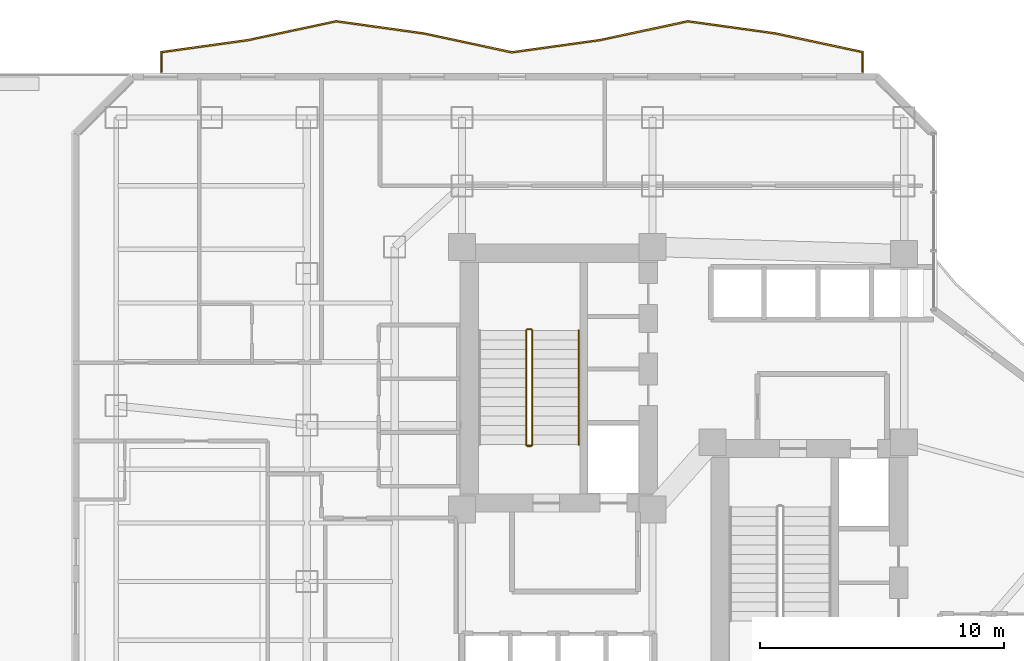
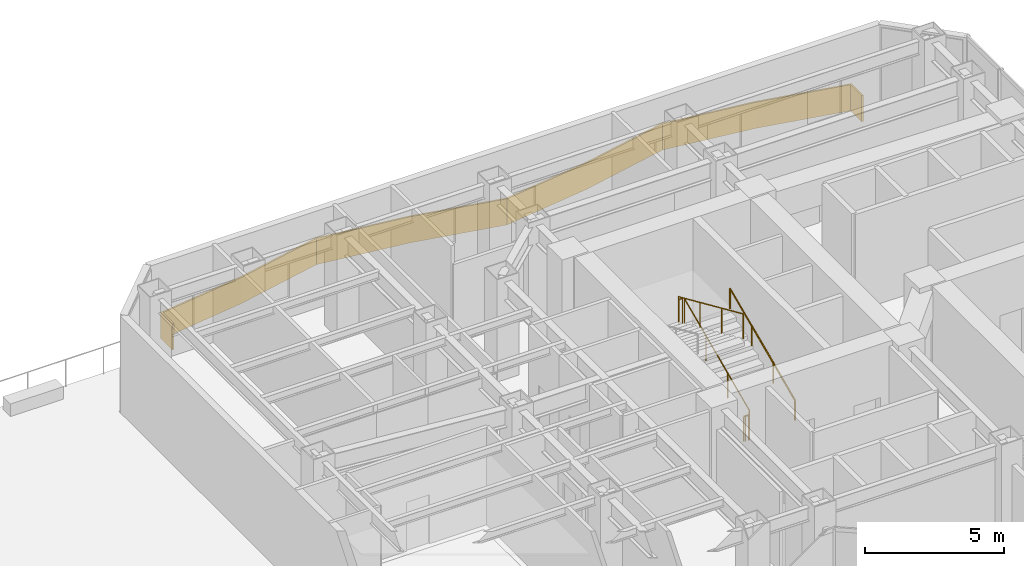
# One storey, part 26 of 27: 7 railings.
"""IFC4 building model written with IfcOpenShell, lengths in metres."""

from ifc_helpers import new_model, si_unit, direction, frame, origin, origin_2d, place, context, subcontext, project, spatial, polyline, circle, outline, extrude, material, layer, layer_set, type_object, element, save


model = new_model("IFC4")

# Units and contexts
model_context = context("Model", 3, precision=1e-05, world=origin(), true_north=direction((0.0, 1.0)))
body_context = subcontext(model_context, "Body", "Model", "MODEL_VIEW")
ifc_project = project(units=[si_unit("LENGTHUNIT", "METRE"), si_unit("AREAUNIT", "SQUARE_METRE"), si_unit("VOLUMEUNIT", "CUBIC_METRE"), si_unit("PLANEANGLEUNIT", "RADIAN"), si_unit("MASSUNIT", "GRAM", prefix="KILO")], contexts=[model_context])

# Site, building, storey
site_placement = place(None, origin())
site = spatial("IfcSite", under=ifc_project, at=site_placement, CompositionType="ELEMENT")
building_placement = place(site_placement, origin())
building = spatial("IfcBuilding", under=site, at=building_placement, Name="Hatsunagi Terrace Concourse", CompositionType="ELEMENT")
storey_placement = place(building_placement, frame((0.0, 0.0, 70.10009765625)))
storey = spatial("IfcBuildingStorey", under=building, at=storey_placement, Name="L18", CompositionType="ELEMENT", Elevation=70.10009765625)

# Railings
ifc_material_1 = material(Name="Laminated Glass and Stainless Steel Guard", Category="steel")
ifc_layer_1 = layer(ifc_material_1, 0.070068359375)
ifc_layer_set_1 = layer_set([ifc_layer_1], Name="BalconyGlassGuardRail_1150")
railing_type_1 = type_object("IfcRailingType", Name="BalconyGlassGuardRail_1150", PredefinedType="BALUSTRADE", material=ifc_layer_set_1)
railing_1_placement = place(storey_placement, origin())
element("IfcRailing", 1, at=railing_1_placement, inside=storey, type_object=railing_type_1, Name="Engawa Balcony Guard GRD-01 L18-BN-1", PredefinedType="BALUSTRADE", context=body_context, shape_type="SweptSolid", body=[
    extrude(outline(polyline([(13.215087890625, 50.449951171875), (13.284912109375, 50.449951171875), (13.284912109375, 51.239501953125), (16.815185546875, 51.7314453125), (20.4033203125, 52.49951171875), (23.98486328125, 52.00146484375), (27.5966796875, 51.2275390625), (31.215087890625, 51.7314453125), (34.80322265625, 52.49951171875), (38.385009765625, 52.00146484375), (41.9150390625, 51.24560546875), (41.9150390625, 50.449951171875), (41.985107421875, 50.449951171875), (41.985107421875, 51.30224609375), (38.397216796875, 52.070556640625), (34.80078125, 52.570556640625), (31.202880859375, 51.800537109375), (27.599365234375, 51.298583984375), (23.9970703125, 52.070556640625), (20.400634765625, 52.570556640625), (16.802978515625, 51.800537109375), (13.215087890625, 51.300537109375), (13.215087890625, 50.449951171875)])), origin(), (0.0, 0.0, 1.0), 1.14990234375),
])
ifc_material_2 = material(Name="Stainless steel", Category="steel")
ifc_layer_2 = layer(ifc_material_2, 0.044921875)
ifc_layer_set_2 = layer_set([ifc_layer_2], Name="StairPitchHandrail_Tower2000")
railing_type_2 = type_object("IfcRailingType", Name="StairPitchHandrail_Tower2000", PredefinedType="HANDRAIL", material=ifc_layer_set_2)
railing_2_placement = place(storey_placement, frame((30.330078125, 35.199951171875, 0.173095703125)))
element("IfcRailing", 2, at=railing_2_placement, inside=storey, type_object=railing_type_2, Name="L18 ST-A stair handrail 1", PredefinedType="HANDRAIL", context=body_context, shape_type="SweptSolid", body=[
    extrude(circle(Radius=0.02392578125, at=origin_2d()), frame((0.0, 0.0, 0.8759765625), z_axis=(0.0, 0.914033604373, 0.405638472137), x_axis=(-1.0, 0.0, 0.0)), (0.0, 0.0, 1.0), 5.1201171875),
    extrude(circle(Radius=0.02099609375, at=origin_2d()), origin(), (0.0, 0.0, 1.0), 0.851806640625),
    extrude(circle(Radius=0.02099609375, at=origin_2d()), frame((0.0, 1.56005859375, 0.6923828125)), (0.0, 0.0, 1.0), 0.851806640625),
    extrude(circle(Radius=0.02099609375, at=origin_2d()), frame((0.0, 3.119873046875, 1.384521484375)), (0.0, 0.0, 1.0), 0.851806640625),
    extrude(circle(Radius=0.02099609375, at=origin_2d()), frame((0.0, 4.679931640625, 2.076904296875)), (0.0, 0.0, 1.0), 0.851806640625),
])
ifc_material_3 = material(Name="Stainless steel", Category="steel")
ifc_layer_3 = layer(ifc_material_3, 0.06005859375)
ifc_layer_set_3 = layer_set([ifc_layer_3], Name="StairWellGuard_Tower2000")
railing_type_3 = type_object("IfcRailingType", Name="StairWellGuard_Tower2000", PredefinedType="BALUSTRADE", material=ifc_layer_set_3)
railing_3_placement = place(storey_placement, frame((28.429931640625, 35.199951171875, 0.173095703125)))
element("IfcRailing", 3, at=railing_3_placement, inside=storey, type_object=railing_type_3, Name="L18 ST-A stair guard 1", PredefinedType="BALUSTRADE", context=body_context, shape_type="SweptSolid", body=[
    extrude(circle(Radius=0.02392578125, at=origin_2d()), frame((0.0, 0.0, 1.09619140625), z_axis=(0.0, 0.914033604373, 0.405638472137), x_axis=(-1.0, 0.0, 0.0)), (0.0, 0.0, 1.0), 5.1201171875),
    extrude(circle(Radius=0.02099609375, at=origin_2d()), origin(), (0.0, 0.0, 1.0), 1.072021484375),
    extrude(circle(Radius=0.02099609375, at=origin_2d()), frame((0.0, 1.56005859375, 0.6923828125)), (0.0, 0.0, 1.0), 1.072021484375),
    extrude(circle(Radius=0.02099609375, at=origin_2d()), frame((0.0, 3.119873046875, 1.384521484375)), (0.0, 0.0, 1.0), 1.072021484375),
    extrude(circle(Radius=0.02099609375, at=origin_2d()), frame((0.0, 4.679931640625, 2.076904296875)), (0.0, 0.0, 1.0), 1.072021484375),
])
railing_4_placement = place(storey_placement, frame((28.3798828125, 39.929931640625, 2.25)))
element("IfcRailing", 4, at=railing_4_placement, inside=storey, type_object=railing_type_3, Name="L18 ST-A stair guard 2", PredefinedType="BALUSTRADE", context=body_context, shape_type="SweptSolid", body=[
    extrude(circle(Radius=0.02392578125, at=origin_2d()), frame((0.0, 0.0, 1.09619140625), z_axis=(-1.0, 0.0, 0.0), x_axis=(0.0, -1.0, 0.0)), (0.0, 0.0, 1.0), 0.14990234375),
    extrude(circle(Radius=0.02099609375, at=origin_2d()), origin(), (0.0, 0.0, 1.0), 1.072021484375),
    extrude(circle(Radius=0.02099609375, at=origin_2d()), frame((-0.14990234375, 0.0, 0.0)), (0.0, 0.0, 1.0), 1.072021484375),
])
railing_5_placement = place(storey_placement, frame((28.179931640625, 39.8798828125, 2.423095703125)))
element("IfcRailing", 5, at=railing_5_placement, inside=storey, type_object=railing_type_3, Name="L18 ST-A stair guard 3", PredefinedType="BALUSTRADE", context=body_context, shape_type="SweptSolid", body=[
    extrude(circle(Radius=0.02392578125, at=origin_2d()), frame((0.0, 0.0, 1.09619140625), z_axis=(0.0, -0.914033604373, 0.405638472137), x_axis=(1.0, 0.0, 0.0)), (0.0, 0.0, 1.0), 5.1201171875),
    extrude(circle(Radius=0.02099609375, at=origin_2d()), origin(), (0.0, 0.0, 1.0), 1.072021484375),
    extrude(circle(Radius=0.02099609375, at=origin_2d()), frame((0.0, -1.56005859375, 0.6923828125)), (0.0, 0.0, 1.0), 1.072021484375),
    extrude(circle(Radius=0.02099609375, at=origin_2d()), frame((0.0, -3.119873046875, 1.384521484375)), (0.0, 0.0, 1.0), 1.072021484375),
    extrude(circle(Radius=0.02099609375, at=origin_2d()), frame((0.0, -4.679931640625, 2.076904296875)), (0.0, 0.0, 1.0), 1.072021484375),
])
railing_6_placement = place(storey_placement, frame((28.3798828125, 35.14990234375, 0.0)))
element("IfcRailing", 6, at=railing_6_placement, inside=storey, type_object=railing_type_3, Name="L18 ST-A stair guard 4", PredefinedType="BALUSTRADE", context=body_context, shape_type="SweptSolid", body=[
    extrude(circle(Radius=0.02392578125, at=origin_2d()), frame((0.0, 0.0, 1.09619140625), z_axis=(-1.0, 0.0, 0.0), x_axis=(0.0, -1.0, 0.0)), (0.0, 0.0, 1.0), 0.14990234375),
    extrude(circle(Radius=0.02099609375, at=origin_2d()), origin(), (0.0, 0.0, 1.0), 1.072021484375),
    extrude(circle(Radius=0.02099609375, at=origin_2d()), frame((-0.14990234375, 0.0, 0.0)), (0.0, 0.0, 1.0), 1.072021484375),
])
ifc_material_4 = material(Name="Stainless Steel SUS316 Post-and-Rail Guard", Category="steel")
ifc_layer_4 = layer(ifc_material_4, 0.080078125)
ifc_layer_set_4 = layer_set([ifc_layer_4], Name="TerracePlantedGuardRail_1200")
railing_type_4 = type_object("IfcRailingType", Name="TerracePlantedGuardRail_1200", PredefinedType="GUARDRAIL", material=ifc_layer_set_4)
railing_7_placement = place(storey_placement, frame((28.179931640625, 35.179931640625, 0.0)))
element("IfcRailing", 7, at=railing_7_placement, inside=storey, type_object=railing_type_4, Name="Stair ST-A Well Closure Guard L18", PredefinedType="GUARDRAIL", context=body_context, shape_type="SweptSolid", body=[
    extrude(circle(Radius=0.02392578125, at=origin_2d()), frame((0.0, 0.0, 1.09619140625), z_axis=(1.0, 0.0, 0.0), x_axis=(0.0, 1.0, 0.0)), (0.0, 0.0, 1.0), 0.25),
    extrude(circle(Radius=0.02099609375, at=origin_2d()), origin(), (0.0, 0.0, 1.0), 1.072021484375),
    extrude(circle(Radius=0.02099609375, at=origin_2d()), frame((0.25, 0.0, 0.0)), (0.0, 0.0, 1.0), 1.072021484375),
])

save(model, "model.ifc")
